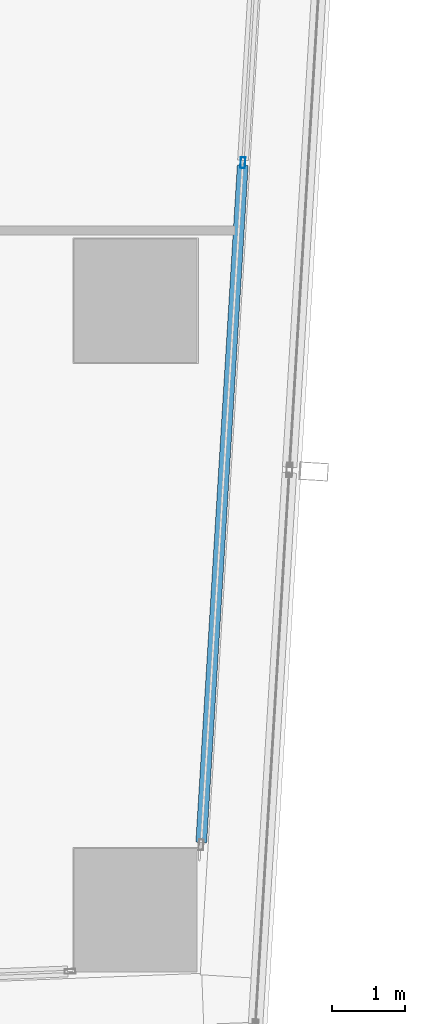
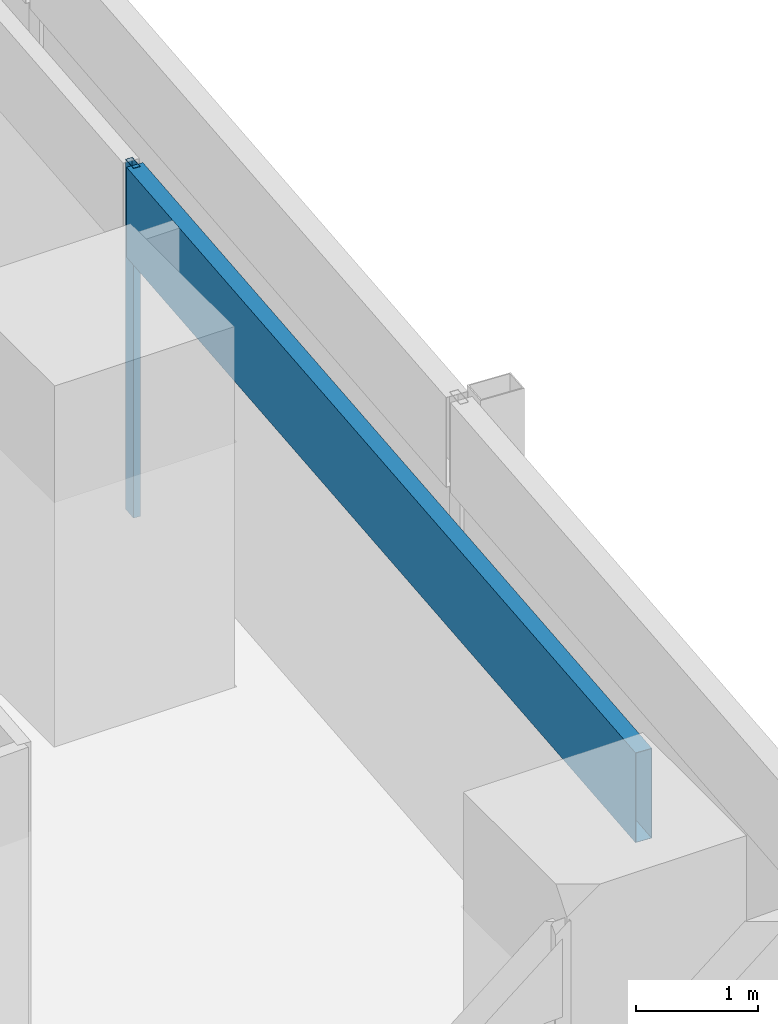
# One storey, part 13 of 40: 2 members, 1 element without a shape of its own.
"""IFC4 building model written with IfcOpenShell, lengths in metres."""

from ifc_helpers import new_model, si_unit, direction, frame, origin, origin_2d, place, context, subcontext, project, spatial, hollow_rectangle, extrude, material, material_profile, profile_set, type_object, element, aggregate, save


model = new_model("IFC4")

# Units and contexts
model_context = context("Model", 3, precision=1e-05, world=origin(), true_north=direction((0.0, 1.0)))
body_context = subcontext(model_context, "Body", "Model", "MODEL_VIEW")
ifc_project = project(units=[si_unit("LENGTHUNIT", "METRE"), si_unit("AREAUNIT", "SQUARE_METRE"), si_unit("VOLUMEUNIT", "CUBIC_METRE"), si_unit("PLANEANGLEUNIT", "RADIAN"), si_unit("MASSUNIT", "GRAM", prefix="KILO")], contexts=[model_context])

# Site, building, storey
site_placement = place(None, origin())
site = spatial("IfcSite", under=ifc_project, at=site_placement, CompositionType="ELEMENT")
building_placement = place(site_placement, origin())
building = spatial("IfcBuilding", under=site, at=building_placement, Name="Rekha Terrace Tower", CompositionType="ELEMENT")
storey_placement = place(building_placement, frame((0.0, 0.0, 110.300048828125)))
storey = spatial("IfcBuildingStorey", under=building, at=storey_placement, Name="L27", CompositionType="ELEMENT", Elevation=110.300048828125)

# Curtain wall, members
ifc_material_1 = material(Name="Aluminium framing", Category="aluminium")
curtain_wall_type = type_object("IfcCurtainWallType", Name="CW1 double skin inner glazing", PredefinedType="USERDEFINED", material=ifc_material_1)
curtain_wall_placement = place(storey_placement, origin())
curtain_wall = element("IfcCurtainWall", 1, at=curtain_wall_placement, inside=storey, type_object=curtain_wall_type, Name="CW1 double skin inner glazing", ObjectType="DOUBLE SKIN INNER GLAZING", PredefinedType="USERDEFINED")
ifc_material_2 = material(Name="Aluminium mullion section", Category="aluminium")
ifc_material_profile_1 = material_profile(ifc_material_2, hollow_rectangle(XDim=0.06494140625, YDim=0.14990234375, WallThickness=0.00390625, at=origin_2d()), Name="AL RHS 65x150")
ifc_profile_set_1 = profile_set([ifc_material_profile_1], Name="Aluminium mullion section")
member_type_1 = type_object("IfcMemberType", Name="CW1 mullion RHS 65 x 150", PredefinedType="MULLION", material=ifc_profile_set_1)
member_1_placement = place(storey_placement, frame((68.679443359375, 27.101806640625, 0.0), z_axis=(0.0, 0.0, 1.0), x_axis=(-0.998127987024, 0.061159803131, 0.0)))
member_1 = element("IfcMember", 2, at=member_1_placement, type_object=member_type_1, Name="CW1 mullion 2", PredefinedType="MULLION", context=body_context, shape_type="SweptSolid", body=[
    extrude(hollow_rectangle(XDim=0.06494140625, YDim=0.14990234375, WallThickness=0.00390625, at=origin_2d()), origin(), (0.0, 0.0, 1.0), 3.5),
])
ifc_material_3 = material(Name="Insulated aluminium spandrel box", Category="aluminium")
ifc_material_profile_2 = material_profile(ifc_material_3, hollow_rectangle(XDim=0.14990234375, YDim=0.89990234375, WallThickness=0.0029296875, at=origin_2d()), Name="AL SPANDREL BOX 150x900")
ifc_profile_set_2 = profile_set([ifc_material_profile_2], Name="Insulated aluminium spandrel box")
member_type_2 = type_object("IfcMemberType", Name="CW1 spandrel transom 150 x 900", PredefinedType="USERDEFINED", material=ifc_profile_set_2)
member_2_placement = place(storey_placement, frame((68.10546875, 17.731689453125, 3.050048828125), z_axis=(0.061145082926, 0.998128888889, 0.0), x_axis=(-0.998128888889, 0.061145082926, 0.0)))
member_2 = element("IfcMember", 3, at=member_2_placement, type_object=member_type_2, Name="CW1 spandrel transom 1", ObjectType="TRANSOM", PredefinedType="USERDEFINED", context=body_context, shape_type="SweptSolid", body=[
    extrude(hollow_rectangle(XDim=0.14990234375, YDim=0.89990234375, WallThickness=0.0029296875, at=origin_2d()), origin(), (0.0, 0.0, 1.0), 9.355224609375),
])
aggregate(curtain_wall, [member_1, member_2])

save(model, "model.ifc")
